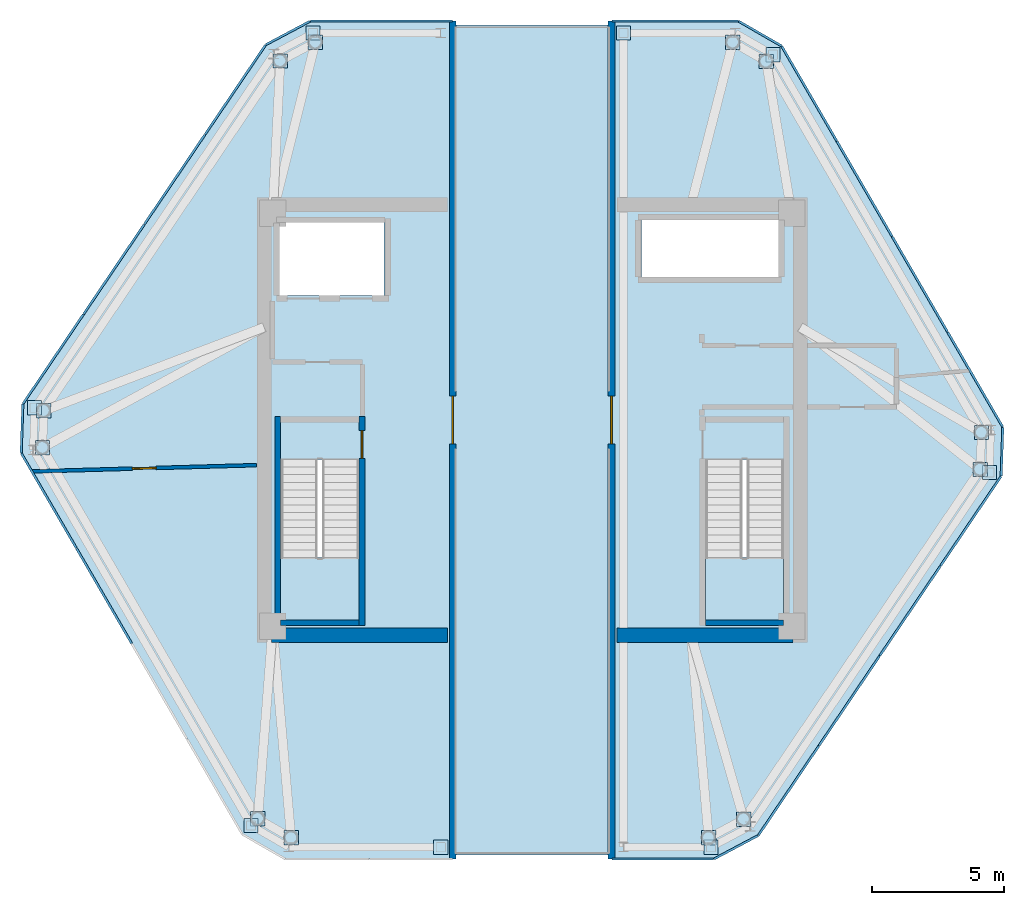
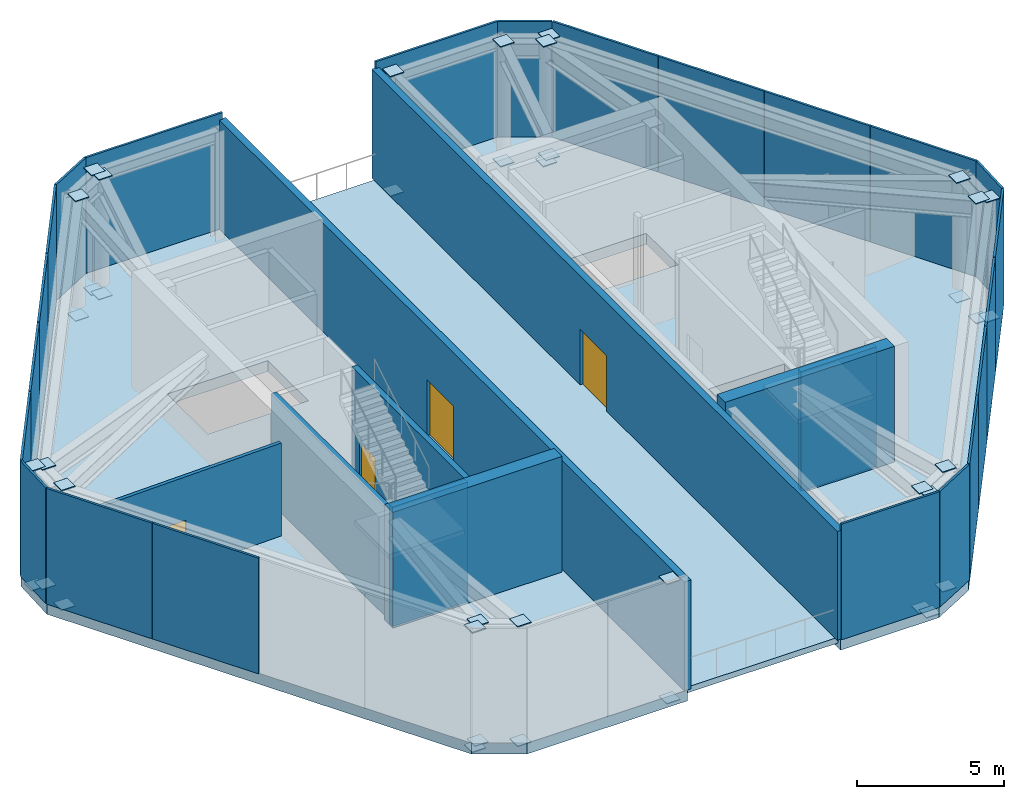
# One storey, part 6 of 8: 62 plates, 9 walls, 5 slabs, 4 doors, 4 openings, 2 elements without a shape of their own.
"""IFC4 building model written with IfcOpenShell, lengths in metres."""

from ifc_helpers import new_model, si_unit, direction, frame, frame_2d, origin, origin_2d, place, context, subcontext, project, spatial, polyline, rectangle, outline, extrude, source, transform, mapped, material, layer, layer_set, type_object, type_shapes, element, fill, aggregate, save


model = new_model("IFC4")

# Units and contexts
model_context = context("Model", 3, precision=1e-05, world=origin(), true_north=direction((0.0, 1.0)))
body_context = subcontext(model_context, "Body", "Model", "MODEL_VIEW")
ifc_project = project(units=[si_unit("LENGTHUNIT", "METRE"), si_unit("AREAUNIT", "SQUARE_METRE"), si_unit("VOLUMEUNIT", "CUBIC_METRE"), si_unit("PLANEANGLEUNIT", "RADIAN"), si_unit("MASSUNIT", "GRAM", prefix="KILO")], contexts=[model_context])

# Site, building, storey
site_placement = place(None, origin())
site = spatial("IfcSite", under=ifc_project, at=site_placement, CompositionType="ELEMENT")
building_placement = place(site_placement, origin())
building = spatial("IfcBuilding", under=site, at=building_placement, Name="Durnholm Broadcast Tower", CompositionType="ELEMENT")
storey_placement = place(building_placement, frame((0.0, 0.0, 272.5)))
storey = spatial("IfcBuildingStorey", under=building, at=storey_placement, Name="L76", CompositionType="ELEMENT", Elevation=272.5)

# Slabs
ifc_material_1 = material(Name="Concrete C50/60", Category="concrete")
ifc_layer_1 = layer(ifc_material_1, 0.449951171875)
ifc_layer_set_1 = layer_set([ifc_layer_1], Name="Concrete C50/60")
slab_type_1 = type_object("IfcSlabType", Name="SLAB-FLR-450", PredefinedType="FLOOR", material=ifc_layer_set_1)
slab_1_placement = place(storey_placement, frame((0.0, 0.0, -0.449951171875)))
element("IfcSlab", 1, at=slab_1_placement, inside=storey, type_object=slab_type_1, Name="L76 west split-crown plant floor slab", PredefinedType="FLOOR", context=body_context, shape_type="SweptSolid", body=[
    extrude(outline(polyline([(-10.946044921875, -15.648193359375), (-9.317626953125, -16.5859375), (-3.0, -16.5859375), (-3.0, 15.06201171875), (-8.386962890625, 15.06201171875), (-10.06591796875, 14.17041015625), (-19.238037109375, 0.603271484375), (-19.3017578125, -1.25048828125), (-10.946044921875, -15.648193359375)]), holes=[polyline([(-6.5400390625, -1.5), (-9.5, -1.5), (-9.5, -7.550048828125), (-6.5400390625, -7.550048828125), (-6.5400390625, -1.5)]), polyline([(-9.550048828125, 7.449951171875), (-9.550048828125, 4.699951171875), (-5.60009765625, 4.699951171875), (-5.60009765625, 7.449951171875), (-9.550048828125, 7.449951171875)])]), origin(), (0.0, 0.0, 1.0), 0.449951171875),
])
slab_2_placement = place(storey_placement, frame((0.0, 0.0, -0.449951171875)))
element("IfcSlab", 2, at=slab_2_placement, inside=storey, type_object=slab_type_1, Name="L76 east split-crown plant floor slab", PredefinedType="FLOOR", context=body_context, shape_type="SweptSolid", body=[
    extrude(outline(polyline([(3.0, 15.06201171875), (3.0, -16.5859375), (6.863037109375, -16.5859375), (8.5419921875, -15.6943359375), (17.714111328125, -2.127197265625), (17.777587890625, -0.273681640625), (9.422119140625, 14.124267578125), (7.793701171875, 15.06201171875), (3.0, 15.06201171875)]), holes=[polyline([(9.5, -1.5), (6.5400390625, -1.5), (6.5400390625, -7.550048828125), (9.5, -7.550048828125), (9.5, -1.5)]), polyline([(4.1201171875, 7.550048828125), (4.1201171875, 5.39990234375), (9.31005859375, 5.39990234375), (9.31005859375, 7.550048828125), (4.1201171875, 7.550048828125)])]), origin(), (0.0, 0.0, 1.0), 0.449951171875),
])

# Stair, slab
stair_type = type_object("IfcStairType", Name="STAIR-DL-28R1714", PredefinedType="HALF_TURN_STAIR", material=ifc_material_1)
stair_1_placement = place(storey_placement, origin())
stair_1 = element("IfcStair", 3, at=stair_1_placement, inside=storey, type_object=stair_type, Name="L76 ST-1", PredefinedType="HALF_TURN_STAIR")
ifc_layer_2 = layer(ifc_material_1, 0.199951171875)
ifc_layer_set_2 = layer_set([ifc_layer_2], Name="Concrete C50/60")
slab_type_2 = type_object("IfcSlabType", Name="SLAB-LND-200", PredefinedType="LANDING", material=ifc_layer_set_2)
slab_3_placement = place(storey_placement, frame((0.0, 0.0, 2.199951171875)))
slab_3 = element("IfcSlab", 4, at=slab_3_placement, type_object=slab_type_2, Name="ST-1 landing 1", PredefinedType="LANDING", context=body_context, shape_type="SweptSolid", body=[
    extrude(outline(polyline([(-9.5, -5.205078125), (-9.5, -7.550048828125), (-6.5400390625, -7.550048828125), (-6.5400390625, -5.205078125), (-9.5, -5.205078125)])), origin(), (0.0, 0.0, 1.0), 0.199951171875),
])
aggregate(stair_1, [slab_3])

stair_2_placement = place(storey_placement, origin())
stair_2 = element("IfcStair", 5, at=stair_2_placement, inside=storey, type_object=stair_type, Name="L76 ST-2", PredefinedType="HALF_TURN_STAIR")
slab_4_placement = place(storey_placement, frame((0.0, 0.0, 2.199951171875)))
slab_4 = element("IfcSlab", 6, at=slab_4_placement, type_object=slab_type_2, Name="ST-2 landing 1", PredefinedType="LANDING", context=body_context, shape_type="SweptSolid", body=[
    extrude(outline(polyline([(6.5400390625, -5.205078125), (6.5400390625, -7.550048828125), (9.5, -7.550048828125), (9.5, -5.205078125), (6.5400390625, -5.205078125)])), origin(), (0.0, 0.0, 1.0), 0.199951171875),
])
aggregate(stair_2, [slab_4])

# Slab
ifc_layer_3 = layer(ifc_material_1, 0.239990234375)
ifc_layer_set_3 = layer_set([ifc_layer_3], Name="Concrete C50/60")
slab_type_3 = type_object("IfcSlabType", Name="SLAB-TERR-240", PredefinedType="FLOOR", material=ifc_layer_set_3)
slab_5_placement = place(storey_placement, frame((0.0, 0.0, -0.239990234375)))
element("IfcSlab", 7, at=slab_5_placement, inside=storey, type_object=slab_type_3, Name="L76 central sky-cleft observation terrace slab", PredefinedType="FLOOR", context=body_context, shape_type="SweptSolid", body=[
    extrude(outline(polyline([(-2.97998046875, -16.43603515625), (2.97998046875, -16.43603515625), (2.97998046875, 14.912109375), (-2.97998046875, 14.912109375), (-2.97998046875, -16.43603515625)])), origin(), (0.0, 0.0, 1.0), 0.239990234375),
])

# Plates
ifc_material_2 = material(Name="Steel ASTM A572 Grade 50", Category="steel")
ifc_layer_4 = layer(ifc_material_2, 0.0400390625)
ifc_layer_set_4 = layer_set([ifc_layer_4], Name="Steel ASTM A572 Grade 50")
plate_type_1 = type_object("IfcPlateType", Name="PLT-KN-CAP", PredefinedType="USERDEFINED", material=ifc_layer_set_4)
shared_shape_1 = source(origin(), body_context, "Body", "SweptSolid", [
    extrude(rectangle(XDim=0.5400390625, YDim=0.5400390625, at=origin_2d()), origin(), (0.0, 0.0, 1.0), 0.0400390625),
])
type_shapes(plate_type_1, [shared_shape_1])
for number, where, z_axis, x_axis, name in (
    (8, (-10.361328125, -15.061767578125, -0.469970703125), (0.0, 0.0, 1.0), (1.0, 0.0, 0.0), "L76 hollow section end cap plate COL-TUBE-L76-01 1"),
    (9, (-10.361328125, -15.061767578125, 4.5), (0.0, 0.0, 1.0), (1.0, 0.0, 0.0), "L76 hollow section end cap plate COL-TUBE-L76-01 2"),
    (10, (-18.494384765625, -1.0478515625, -0.469970703125), (0.0, 0.0, 1.0), (1.0, 0.0, 0.0), "L76 hollow section end cap plate COL-TUBE-L76-02 1"),
    (11, (-18.494384765625, -1.0478515625, 4.5), (0.0, 0.0, 1.0), (1.0, 0.0, 0.0), "L76 hollow section end cap plate COL-TUBE-L76-02 2"),
    (12, (-18.4462890625, 0.345947265625, -0.469970703125), (0.0, 0.0, 1.0), (1.0, 0.0, 0.0), "L76 hollow section end cap plate COL-TUBE-L76-03 1"),
    (13, (-18.4462890625, 0.345947265625, 4.5), (0.0, 0.0, 1.0), (1.0, 0.0, 0.0), "L76 hollow section end cap plate COL-TUBE-L76-03 2"),
    (14, (-9.514892578125, 13.557373046875, -0.469970703125), (0.0, 0.0, 1.0), (1.0, 0.0, 0.0), "L76 hollow section end cap plate COL-TUBE-L76-04 1"),
    (15, (-9.514892578125, 13.557373046875, 4.5), (0.0, 0.0, 1.0), (1.0, 0.0, 0.0), "L76 hollow section end cap plate COL-TUBE-L76-04 2"),
    (16, (-8.187744140625, 14.261962890625, -0.469970703125), (0.0, 0.0, 1.0), (1.0, 0.0, 0.0), "L76 hollow section end cap plate COL-TUBE-L76-05 1"),
    (17, (-8.187744140625, 14.261962890625, 4.5), (0.0, 0.0, 1.0), (1.0, 0.0, 0.0), "L76 hollow section end cap plate COL-TUBE-L76-05 2"),
    (18, (7.57958984375, 14.261962890625, -0.469970703125), (0.0, 0.0, 1.0), (1.0, 0.0, 0.0), "L76 hollow section end cap plate COL-TUBE-L76-06 1"),
    (19, (7.57958984375, 14.261962890625, 4.5), (0.0, 0.0, 1.0), (1.0, 0.0, 0.0), "L76 hollow section end cap plate COL-TUBE-L76-06 2"),
    (20, (8.83740234375, 13.53759765625, -0.469970703125), (0.0, 0.0, 1.0), (1.0, 0.0, 0.0), "L76 hollow section end cap plate COL-TUBE-L76-07 1"),
    (21, (8.83740234375, 13.53759765625, 4.5), (0.0, 0.0, 1.0), (1.0, 0.0, 0.0), "L76 hollow section end cap plate COL-TUBE-L76-07 2"),
    (22, (16.97021484375, -0.47607421875, -0.469970703125), (0.0, 0.0, 1.0), (1.0, 0.0, 0.0), "L76 hollow section end cap plate COL-TUBE-L76-08 1"),
    (23, (16.97021484375, -0.47607421875, 4.5), (0.0, 0.0, 1.0), (1.0, 0.0, 0.0), "L76 hollow section end cap plate COL-TUBE-L76-08 2"),
    (24, (16.92236328125, -1.869873046875, -0.469970703125), (0.0, 0.0, 1.0), (1.0, 0.0, 0.0), "L76 hollow section end cap plate COL-TUBE-L76-09 1"),
    (25, (16.92236328125, -1.869873046875, 4.5), (0.0, 0.0, 1.0), (1.0, 0.0, 0.0), "L76 hollow section end cap plate COL-TUBE-L76-09 2"),
    (26, (7.990966796875, -15.081298828125, -0.469970703125), (0.0, 0.0, 1.0), (1.0, 0.0, 0.0), "L76 hollow section end cap plate COL-TUBE-L76-10 1"),
    (27, (7.990966796875, -15.081298828125, 4.5), (0.0, 0.0, 1.0), (1.0, 0.0, 0.0), "L76 hollow section end cap plate COL-TUBE-L76-10 2"),
    (28, (6.663818359375, -15.785888671875, -0.469970703125), (0.0, 0.0, 1.0), (1.0, 0.0, 0.0), "L76 hollow section end cap plate COL-TUBE-L76-11 1"),
    (29, (6.663818359375, -15.785888671875, 4.5), (0.0, 0.0, 1.0), (1.0, 0.0, 0.0), "L76 hollow section end cap plate COL-TUBE-L76-11 2"),
    (30, (-9.103759765625, -15.785888671875, -0.469970703125), (0.0, 0.0, 1.0), (1.0, 0.0, 0.0), "L76 hollow section end cap plate COL-TUBE-L76-12 1"),
    (31, (-9.103759765625, -15.785888671875, 4.5), (0.0, 0.0, 1.0), (1.0, 0.0, 0.0), "L76 hollow section end cap plate COL-TUBE-L76-12 2"),
    (32, (-10.6171875, -15.318359375, -0.469970703125), (0.0, 0.0, 1.0), (1.0, 0.0, 0.0), "L76 hollow section end cap plate CF-POST-L76-W-1 1"),
    (33, (-10.6171875, -15.318359375, 4.5), (0.0, 0.0, 1.0), (1.0, 0.0, 0.0), "L76 hollow section end cap plate CF-POST-L76-W-1 2"),
    (34, (-3.449951171875, -16.135986328125, -0.469970703125), (0.0, 0.0, 1.0), (1.0, 0.0, 0.0), "L76 hollow section end cap plate CF-POST-L76-W-3 1"),
    (35, (-3.449951171875, -16.135986328125, 4.5), (0.0, 0.0, 1.0), (1.0, 0.0, 0.0), "L76 hollow section end cap plate CF-POST-L76-W-3 2"),
    (36, (-8.27490234375, 14.612060546875, -0.469970703125), (0.0, 0.0, 1.0), (1.0, 0.0, 0.0), "L76 hollow section end cap plate CF-POST-L76-W-5 1"),
    (37, (-8.27490234375, 14.612060546875, 4.5), (0.0, 0.0, 1.0), (1.0, 0.0, 0.0), "L76 hollow section end cap plate CF-POST-L76-W-5 2"),
    (38, (-18.792724609375, 0.45849609375, -0.469970703125), (0.0, 0.0, 1.0), (1.0, 0.0, 0.0), "L76 hollow section end cap plate CF-POST-L76-W-7 1"),
    (39, (-18.792724609375, 0.45849609375, 4.5), (0.0, 0.0, 1.0), (1.0, 0.0, 0.0), "L76 hollow section end cap plate CF-POST-L76-W-7 2"),
    (40, (3.449951171875, 14.612060546875, -0.469970703125), (0.0, 0.0, 1.0), (1.0, 0.0, 0.0), "L76 hollow section end cap plate CF-POST-L76-E-1 1"),
    (41, (3.449951171875, 14.612060546875, 4.5), (0.0, 0.0, 1.0), (1.0, 0.0, 0.0), "L76 hollow section end cap plate CF-POST-L76-E-1 2"),
    (42, (6.7509765625, -16.135986328125, -0.469970703125), (0.0, 0.0, 1.0), (1.0, 0.0, 0.0), "L76 hollow section end cap plate CF-POST-L76-E-3 1"),
    (43, (6.7509765625, -16.135986328125, 4.5), (0.0, 0.0, 1.0), (1.0, 0.0, 0.0), "L76 hollow section end cap plate CF-POST-L76-E-3 2"),
    (44, (17.268798828125, -1.982421875, -0.469970703125), (0.0, 0.0, 1.0), (1.0, 0.0, 0.0), "L76 hollow section end cap plate CF-POST-L76-E-5 1"),
    (45, (17.268798828125, -1.982421875, 4.5), (0.0, 0.0, 1.0), (1.0, 0.0, 0.0), "L76 hollow section end cap plate CF-POST-L76-E-5 2"),
    (46, (9.09326171875, 13.794189453125, -0.469970703125), (0.0, 0.0, 1.0), (1.0, 0.0, 0.0), "L76 hollow section end cap plate CF-POST-L76-E-7 1"),
    (47, (9.09326171875, 13.794189453125, 4.5), (0.0, 0.0, 1.0), (1.0, 0.0, 0.0), "L76 hollow section end cap plate CF-POST-L76-E-7 2"),
):
    element("IfcPlate", number, at=place(storey_placement, frame(where, z_axis=z_axis, x_axis=x_axis)), inside=storey, type_object=plate_type_1, Name=name, ObjectType="CAP_PLATE", PredefinedType="USERDEFINED", context=body_context, shape_type="MappedRepresentation", body=[
        mapped(shared_shape_1, transform((0.0, 0.0, 0.0), x_axis=(1.0, 0.0, 0.0), y_axis=(0.0, 1.0, 0.0), z_axis=(0.0, 0.0, 1.0), scale=1.0)),
    ])
ifc_material_3 = material(Name="Anodised Architectural Aluminium Louvre Screen", Category="aluminium")
ifc_layer_5 = layer(ifc_material_3, 0.0849609375)
ifc_layer_set_5 = layer_set([ifc_layer_5], Name="Anodised Architectural Aluminium Louvre Screen")
plate_type_2 = type_object("IfcPlateType", Name="PLT-CROWN-SCR", PredefinedType="USERDEFINED", material=ifc_layer_set_5)
shared_shape_2 = source(origin(), body_context, "Body", "SweptSolid", [
    extrude(rectangle(XDim=1.834716796875, YDim=0.0849609375, at=origin_2d()), origin(), (0.0, 0.0, 1.0), 4.800048828125),
])
for number, where, z_axis, x_axis, name in (
    (48, (-19.27001953125, -0.323486328125, 0.0), (0.0, 0.0, 1.0), (0.034376212129, 0.999408963358, 0.0), "L76 mechanical louvre screen panel SCR-L76-W-1.1"),
    (49, (17.745849609375, -1.200439453125, 0.0), (0.0, 0.0, 1.0), (-0.034376212129, -0.999408963358, 0.0), "L76 mechanical louvre screen panel SCR-L76-E-3.1"),
):
    element("IfcPlate", number, at=place(storey_placement, frame(where, z_axis=z_axis, x_axis=x_axis)), inside=storey, type_object=plate_type_2, Name=name, ObjectType="SCREEN", PredefinedType="USERDEFINED", context=body_context, shape_type="MappedRepresentation", body=[
        mapped(shared_shape_2, transform((0.0, 0.0, 0.0), x_axis=(1.0, 0.0, 0.0), y_axis=(0.0, 1.0, 0.0), z_axis=(0.0, 0.0, 1.0), scale=1.0)),
    ])
shared_shape_3 = source(origin(), body_context, "Body", "SweptSolid", [
    extrude(rectangle(XDim=4.07421875, YDim=0.0849609375, at=origin_2d()), origin(), (0.0, 0.0, 1.0), 4.800048828125),
])
for number, where, z_axis, x_axis, name in (
    (50, (-18.091552734375, 2.29931640625, 0.0), (0.0, 0.0, 1.0), (0.560060762816, 0.828451532652, 0.0), "L76 mechanical louvre screen panel SCR-L76-W-2.1"),
    (51, (-15.798583984375, 5.69091796875, 0.0), (0.0, 0.0, 1.0), (0.560060762816, 0.828451532652, 0.0), "L76 mechanical louvre screen panel SCR-L76-W-2.2"),
    (52, (-13.505615234375, 9.082763671875, 0.0), (0.0, 0.0, 1.0), (0.560060762816, 0.828451532652, 0.0), "L76 mechanical louvre screen panel SCR-L76-W-2.3"),
    (53, (-11.21240234375, 12.474609375, 0.0), (0.0, 0.0, 1.0), (0.560060762816, 0.828451532652, 0.0), "L76 mechanical louvre screen panel SCR-L76-W-2.4"),
    (54, (16.567626953125, -3.8232421875, 0.0), (0.0, 0.0, 1.0), (-0.560060762816, -0.828451532652, 0.0), "L76 mechanical louvre screen panel SCR-L76-E-4.1"),
    (55, (14.274658203125, -7.215087890625, 0.0), (0.0, 0.0, 1.0), (-0.560060762816, -0.828451532652, 0.0), "L76 mechanical louvre screen panel SCR-L76-E-4.2"),
    (56, (11.9814453125, -10.606689453125, 0.0), (0.0, 0.0, 1.0), (-0.560060762816, -0.828451532652, 0.0), "L76 mechanical louvre screen panel SCR-L76-E-4.3"),
    (57, (9.6884765625, -13.99853515625, 0.0), (0.0, 0.0, 1.0), (-0.560060762816, -0.828451532652, 0.0), "L76 mechanical louvre screen panel SCR-L76-E-4.4"),
):
    element("IfcPlate", number, at=place(storey_placement, frame(where, z_axis=z_axis, x_axis=x_axis)), inside=storey, type_object=plate_type_2, Name=name, ObjectType="SCREEN", PredefinedType="USERDEFINED", context=body_context, shape_type="MappedRepresentation", body=[
        mapped(shared_shape_3, transform((0.0, 0.0, 0.0), x_axis=(1.0, 0.0, 0.0), y_axis=(0.0, 1.0, 0.0), z_axis=(0.0, 0.0, 1.0), scale=1.0)),
    ])
shared_shape_4 = source(origin(), body_context, "Body", "SweptSolid", [
    extrude(rectangle(XDim=1.881103515625, YDim=0.0849609375, at=origin_2d()), origin(), (0.0, 0.0, 1.0), 4.800048828125),
])
for number, where, z_axis, x_axis, name in (
    (58, (-9.2265625, 14.6162109375, 0.0), (0.0, 0.0, 1.0), (0.883193286551, 0.469009188174, 0.0), "L76 mechanical louvre screen panel SCR-L76-W-3.1"),
    (59, (7.702392578125, -16.14013671875, 0.0), (0.0, 0.0, 1.0), (-0.883193286551, -0.469009188174, 0.0), "L76 mechanical louvre screen panel SCR-L76-E-5.1"),
):
    element("IfcPlate", number, at=place(storey_placement, frame(where, z_axis=z_axis, x_axis=x_axis)), inside=storey, type_object=plate_type_2, Name=name, ObjectType="SCREEN", PredefinedType="USERDEFINED", context=body_context, shape_type="MappedRepresentation", body=[
        mapped(shared_shape_4, transform((0.0, 0.0, 0.0), x_axis=(1.0, 0.0, 0.0), y_axis=(0.0, 1.0, 0.0), z_axis=(0.0, 0.0, 1.0), scale=1.0)),
    ])
shared_shape_5 = source(origin(), body_context, "Body", "SweptSolid", [
    extrude(rectangle(XDim=5.366943359375, YDim=0.0849609375, at=origin_2d()), origin(), (0.0, 0.0, 1.0), 4.800048828125),
])
plate_1_placement = place(storey_placement, frame((-5.693603515625, 15.06201171875, 0.0), z_axis=(0.0, 0.0, 1.0), x_axis=(1.0, 0.0, 0.0)))
element("IfcPlate", 60, at=plate_1_placement, inside=storey, type_object=plate_type_2, Name="L76 mechanical louvre screen panel SCR-L76-W-4.1", ObjectType="SCREEN", PredefinedType="USERDEFINED", context=body_context, shape_type="MappedRepresentation", body=[
    mapped(shared_shape_5, transform((0.0, 0.0, 0.0), x_axis=(1.0, 0.0, 0.0), y_axis=(0.0, 1.0, 0.0), z_axis=(0.0, 0.0, 1.0), scale=1.0)),
])
shared_shape_6 = source(origin(), body_context, "Body", "SweptSolid", [
    extrude(rectangle(XDim=1.859130859375, YDim=0.0849609375, at=origin_2d()), origin(), (0.0, 0.0, 1.0), 4.800048828125),
])
plate_2_placement = place(storey_placement, frame((8.60791015625, 14.593017578125, 0.0), z_axis=(0.0, 0.0, 1.0), x_axis=(0.866548527613, -0.499092826328, 0.0)))
element("IfcPlate", 61, at=plate_2_placement, inside=storey, type_object=plate_type_2, Name="L76 mechanical louvre screen panel SCR-L76-E-1.1", ObjectType="SCREEN", PredefinedType="USERDEFINED", context=body_context, shape_type="MappedRepresentation", body=[
    mapped(shared_shape_6, transform((0.0, 0.0, 0.0), x_axis=(1.0, 0.0, 0.0), y_axis=(0.0, 1.0, 0.0), z_axis=(0.0, 0.0, 1.0), scale=1.0)),
])
shared_shape_7 = source(origin(), body_context, "Body", "SweptSolid", [
    extrude(rectangle(XDim=4.1416015625, YDim=0.0849609375, at=origin_2d()), origin(), (0.0, 0.0, 1.0), 4.800048828125),
])
for number, where, z_axis, x_axis, name in (
    (62, (-16.168212890625, -6.649658203125, 0.0), (0.0, 0.0, 1.0), (-0.501963660617, 0.864888711581, 0.0), "L76 mechanical louvre screen panel SCR-L76-W-8.3"),
    (63, (-18.257080078125, -3.050048828125, 0.0), (0.0, 0.0, 1.0), (-0.501963660617, 0.864888711581, 0.0), "L76 mechanical louvre screen panel SCR-L76-W-8.4"),
    (64, (10.466552734375, 12.324462890625, 0.0), (0.0, 0.0, 1.0), (0.501963660617, -0.864888711581, 0.0), "L76 mechanical louvre screen panel SCR-L76-E-2.1"),
    (65, (12.555419921875, 8.72509765625, 0.0), (0.0, 0.0, 1.0), (0.501963660617, -0.864888711581, 0.0), "L76 mechanical louvre screen panel SCR-L76-E-2.2"),
    (66, (14.644287109375, 5.12548828125, 0.0), (0.0, 0.0, 1.0), (0.501963660617, -0.864888711581, 0.0), "L76 mechanical louvre screen panel SCR-L76-E-2.3"),
    (67, (16.733154296875, 1.526123046875, 0.0), (0.0, 0.0, 1.0), (0.501963660617, -0.864888711581, 0.0), "L76 mechanical louvre screen panel SCR-L76-E-2.4"),
):
    element("IfcPlate", number, at=place(storey_placement, frame(where, z_axis=z_axis, x_axis=x_axis)), inside=storey, type_object=plate_type_2, Name=name, ObjectType="SCREEN", PredefinedType="USERDEFINED", context=body_context, shape_type="MappedRepresentation", body=[
        mapped(shared_shape_7, transform((0.0, 0.0, 0.0), x_axis=(1.0, 0.0, 0.0), y_axis=(0.0, 1.0, 0.0), z_axis=(0.0, 0.0, 1.0), scale=1.0)),
    ])
shared_shape_8 = source(origin(), body_context, "Body", "SweptSolid", [
    extrude(rectangle(XDim=3.843017578125, YDim=0.0849609375, at=origin_2d()), origin(), (0.0, 0.0, 1.0), 4.800048828125),
])
plate_3_placement = place(storey_placement, frame((4.931396484375, -16.5859375, 0.0), z_axis=(0.0, 0.0, 1.0), x_axis=(-1.0, 0.0, 0.0)))
element("IfcPlate", 68, at=plate_3_placement, inside=storey, type_object=plate_type_2, Name="L76 mechanical louvre screen panel SCR-L76-E-6.1", ObjectType="SCREEN", PredefinedType="USERDEFINED", context=body_context, shape_type="MappedRepresentation", body=[
    mapped(shared_shape_8, transform((0.0, 0.0, 0.0), x_axis=(1.0, 0.0, 0.0), y_axis=(0.0, 1.0, 0.0), z_axis=(0.0, 0.0, 1.0), scale=1.0)),
])
shared_shape_9 = source(origin(), body_context, "Body", "SweptSolid", [
    extrude(rectangle(XDim=4.773681640625, YDim=0.0849609375, at=origin_2d()), origin(), (0.0, 0.0, 1.0), 4.800048828125),
])
type_shapes(plate_type_2, [shared_shape_2, shared_shape_3, shared_shape_4, shared_shape_5, shared_shape_6, shared_shape_7, shared_shape_8, shared_shape_9])
plate_4_placement = place(storey_placement, frame((5.396728515625, 15.06201171875, 0.0), z_axis=(0.0, 0.0, 1.0), x_axis=(1.0, 0.0, 0.0)))
element("IfcPlate", 69, at=plate_4_placement, inside=storey, type_object=plate_type_2, Name="L76 mechanical louvre screen panel SCR-L76-E-8.1", ObjectType="SCREEN", PredefinedType="USERDEFINED", context=body_context, shape_type="MappedRepresentation", body=[
    mapped(shared_shape_9, transform((0.0, 0.0, 0.0), x_axis=(1.0, 0.0, 0.0), y_axis=(0.0, 1.0, 0.0), z_axis=(0.0, 0.0, 1.0), scale=1.0)),
])

# Walls
ifc_material_4 = material(Name="Concrete C70/85", Category="concrete")
ifc_layer_6 = layer(ifc_material_4, 0.550048828125)
ifc_layer_set_6 = layer_set([ifc_layer_6], Name="Concrete C70/85")
wall_type_1 = type_object("IfcWallType", Name="WALL-CW-550", PredefinedType="SHEAR", material=ifc_layer_set_6)
for number, where, z_axis, x_axis, name in (
    (70, (-9.85009765625, -8.125, 0.0), (0.0, 0.0, 1.0), (1.0, 0.0, 0.0), "L76 split-crown core shear wall WCW-SW"),
    (71, (3.199951171875, -8.125, 0.0), (0.0, 0.0, 1.0), (1.0, 0.0, 0.0), "L76 split-crown core shear wall WCW-SE"),
):
    element("IfcWall", number, at=place(storey_placement, frame(where, z_axis=z_axis, x_axis=x_axis)), inside=storey, type_object=wall_type_1, Name=name, PredefinedType="SHEAR", context=body_context, shape_type="SweptSolid", body=[
        extrude(rectangle(XDim=6.650146484375, YDim=0.550048828125, at=frame_2d((3.3251953125, 0.0))), origin(), (0.0, 0.0, 1.0), 4.800048828125),
    ])

# Wall, opening, door
ifc_material_5 = material(Name="Precast Concrete C45/55", Category="concrete")
ifc_layer_7 = layer(ifc_material_5, 0.260009765625)
ifc_layer_set_7 = layer_set([ifc_layer_7], Name="Precast Concrete C45/55")
wall_type_2 = type_object("IfcWallType", Name="WALL-EXT-260", PredefinedType="SOLIDWALL", material=ifc_layer_set_7)
wall_1_placement = place(storey_placement, frame((-3.0, 15.06201171875, 0.0), z_axis=(0.0, 0.0, 1.0), x_axis=(0.0, -1.0, 0.0)))
wall_1 = element("IfcWall", 72, at=wall_1_placement, inside=storey, type_object=wall_type_2, Name="L76 W cleft terrace access wall", PredefinedType="SOLIDWALL", context=body_context, shape_type="SweptSolid", body=[
    extrude(rectangle(XDim=31.64794921875, YDim=0.260009765625, at=frame_2d((15.823974609375, 0.0))), origin(), (0.0, 0.0, 1.0), 4.52001953125),
])
opening_1_placement = place(wall_1_placement, frame((14.162109375, 0.0, 0.0)))
opening_1 = element("IfcOpeningElement", 73, at=opening_1_placement, cuts=wall_1, Name="Opening DT-1", PredefinedType="OPENING", context=body_context, shape_type="SweptSolid", body=[
    extrude(rectangle(XDim=1.800048828125, YDim=2.300048828125, at=frame_2d((0.89990234375, 1.14990234375))), frame((0.0, 0.14013671875, 0.0), z_axis=(0.0, -1.0, 0.0), x_axis=(1.0, 0.0, 0.0)), (0.0, 0.0, 1.0), 0.280029296875),
])
ifc_material_6 = material(Name="Anodised Aluminium and Laminated Safety Glass", Category="aluminium")
ifc_layer_8 = layer(ifc_material_6, 0.050048828125)
ifc_layer_set_8 = layer_set([ifc_layer_8], Name="Anodised Aluminium and Laminated Safety Glass")
door_type_1 = type_object("IfcDoorType", Name="DOOR-EXT-TERR", OperationType="DOUBLE_DOOR_SINGLE_SWING", PredefinedType="DOOR", material=ifc_layer_set_8)
shared_shape_10 = source(origin(), body_context, "Body", "SweptSolid", [
    extrude(rectangle(XDim=1.800048828125, YDim=2.300048828125, at=frame_2d((0.89990234375, 1.14990234375))), frame((0.0, 0.02490234375, 0.0), z_axis=(0.0, -1.0, 0.0), x_axis=(1.0, 0.0, 0.0)), (0.0, 0.0, 1.0), 0.050048828125),
])
type_shapes(door_type_1, [shared_shape_10])
door_1_placement = place(opening_1_placement, origin())
door_1 = element("IfcDoor", 74, at=door_1_placement, inside=storey, type_object=door_type_1, Name="L76 W sky-cleft observation terrace door", OperationType="DOUBLE_DOOR_SINGLE_SWING", OverallHeight=2.300048828125, OverallWidth=1.800048828125, PredefinedType="DOOR", context=body_context, shape_type="MappedRepresentation", body=[
    mapped(shared_shape_10, transform((0.0, 0.0, 0.0), x_axis=(1.0, 0.0, 0.0), y_axis=(0.0, 1.0, 0.0), z_axis=(0.0, 0.0, 1.0), scale=1.0)),
])
fill(opening_1, door_1)

wall_2_placement = place(storey_placement, frame((3.0, -16.5859375, 0.0), z_axis=(0.0, 0.0, 1.0), x_axis=(0.0, 1.0, 0.0)))
wall_2 = element("IfcWall", 75, at=wall_2_placement, inside=storey, type_object=wall_type_2, Name="L76 E cleft terrace access wall", PredefinedType="SOLIDWALL", context=body_context, shape_type="SweptSolid", body=[
    extrude(rectangle(XDim=31.64794921875, YDim=0.260009765625, at=frame_2d((15.823974609375, 0.0))), origin(), (0.0, 0.0, 1.0), 4.52001953125),
])
opening_2_placement = place(wall_2_placement, frame((15.68603515625, 0.0, 0.0)))
opening_2 = element("IfcOpeningElement", 76, at=opening_2_placement, cuts=wall_2, Name="Opening DT-1", PredefinedType="OPENING", context=body_context, shape_type="SweptSolid", body=[
    extrude(rectangle(XDim=1.800048828125, YDim=2.300048828125, at=frame_2d((0.89990234375, 1.14990234375))), frame((0.0, 0.14013671875, 0.0), z_axis=(0.0, -1.0, 0.0), x_axis=(1.0, 0.0, 0.0)), (0.0, 0.0, 1.0), 0.280029296875),
])
door_2_placement = place(opening_2_placement, origin())
door_2 = element("IfcDoor", 77, at=door_2_placement, inside=storey, type_object=door_type_1, Name="L76 E sky-cleft observation terrace door", OperationType="DOUBLE_DOOR_SINGLE_SWING", OverallHeight=2.300048828125, OverallWidth=1.800048828125, PredefinedType="DOOR", context=body_context, shape_type="MappedRepresentation", body=[
    mapped(shared_shape_10, transform((0.0, 0.0, 0.0), x_axis=(1.0, 0.0, 0.0), y_axis=(0.0, 1.0, 0.0), z_axis=(0.0, 0.0, 1.0), scale=1.0)),
])
fill(opening_2, door_2)

ifc_material_7 = material(Name="Gypsum Metal Stud Partition", Category="concrete")
ifc_layer_9 = layer(ifc_material_7, 0.135009765625)
ifc_layer_set_9 = layer_set([ifc_layer_9], Name="Gypsum Metal Stud Partition")
wall_type_3 = type_object("IfcWallType", Name="WALL-PART-135", PredefinedType="PARTITIONING", material=ifc_layer_set_9)
wall_3_placement = place(storey_placement, frame((-10.405029296875, -1.7080078125, 0.0), z_axis=(0.0, 0.0, 1.0), x_axis=(-0.999607454952, -0.028016709362, 0.0)))
wall_3 = element("IfcWall", 78, at=wall_3_placement, inside=storey, type_object=wall_type_3, Name="L76 room dividing partition 1.2", PredefinedType="PARTITIONING", context=body_context, shape_type="SweptSolid", body=[
    extrude(rectangle(XDim=8.496337890625, YDim=0.135009765625, at=frame_2d((4.248046875, 0.0))), origin(), (0.0, 0.0, 1.0), 3.85888671875),
])
opening_3_placement = place(wall_3_placement, frame((3.798095703125, 0.0, 0.0)))
opening_3 = element("IfcOpeningElement", 79, at=opening_3_placement, cuts=wall_3, Name="Opening DW-90L", PredefinedType="OPENING", context=body_context, shape_type="SweptSolid", body=[
    extrude(rectangle(XDim=0.89990234375, YDim=2.050048828125, at=frame_2d((0.449951171875, 1.02490234375))), frame((0.0, 0.07763671875, 0.0), z_axis=(0.0, -1.0, 0.0), x_axis=(1.0, 0.0, 0.0)), (0.0, 0.0, 1.0), 0.155029296875),
])
ifc_material_8 = material(Name="Laminate Restroom Door", Category="steel")
ifc_layer_10 = layer(ifc_material_8, 0.050048828125)
ifc_layer_set_10 = layer_set([ifc_layer_10], Name="Laminate Restroom Door")
door_type_2 = type_object("IfcDoorType", Name="DOOR-WC-900L", OperationType="NOTDEFINED", PredefinedType="DOOR", material=ifc_layer_set_10)
shared_shape_11 = source(origin(), body_context, "Body", "SweptSolid", [
    extrude(rectangle(XDim=0.89990234375, YDim=2.050048828125, at=frame_2d((0.449951171875, 1.02490234375))), frame((0.0, 0.02490234375, 0.0), z_axis=(0.0, -1.0, 0.0), x_axis=(1.0, 0.0, 0.0)), (0.0, 0.0, 1.0), 0.050048828125),
])
type_shapes(door_type_2, [shared_shape_11])
door_3_placement = place(opening_3_placement, origin())
door_3 = element("IfcDoor", 80, at=door_3_placement, inside=storey, type_object=door_type_2, Name="L76 Crown Air Handling Fan Plant connecting door", OperationType="SINGLE_SWING_LEFT", OverallHeight=2.050048828125, OverallWidth=0.89990234375, PredefinedType="DOOR", context=body_context, shape_type="MappedRepresentation", body=[
    mapped(shared_shape_11, transform((0.0, 0.0, 0.0), x_axis=(1.0, 0.0, 0.0), y_axis=(0.0, 1.0, 0.0), z_axis=(0.0, 0.0, 1.0), scale=1.0)),
])
fill(opening_3, door_3)

ifc_layer_11 = layer(ifc_material_1, 0.219970703125)
ifc_layer_set_11 = layer_set([ifc_layer_11], Name="Concrete C50/60")
wall_type_4 = type_object("IfcWallType", Name="WALL-SW-220", PredefinedType="SHEAR", material=ifc_layer_set_11)
wall_4_placement = place(storey_placement, frame((-6.429931640625, -7.77001953125, -0.449951171875), z_axis=(0.0, 0.0, 1.0), x_axis=(0.0, 1.0, 0.0)))
wall_4 = element("IfcWall", 81, at=wall_4_placement, inside=storey, type_object=wall_type_4, Name="L76 stair ST-1 structural shaft wall E", PredefinedType="SHEAR", context=body_context, shape_type="SweptSolid", body=[
    extrude(rectangle(XDim=7.89013671875, YDim=0.219970703125, at=frame_2d((3.945068359375, 0.0))), origin(), (0.0, 0.0, 1.0), 4.969970703125),
])
opening_4_placement = place(wall_4_placement, frame((6.320068359375, 0.0, 0.0)))
opening_4 = element("IfcOpeningElement", 82, at=opening_4_placement, cuts=wall_4, Name="Opening DS-90L", PredefinedType="OPENING", context=body_context, shape_type="SweptSolid", body=[
    extrude(rectangle(XDim=1.050048828125, YDim=2.14990234375, at=frame_2d((0.52490234375, 1.074951171875))), frame((0.0, 0.1201171875, 0.0), z_axis=(0.0, -1.0, 0.0), x_axis=(1.0, 0.0, 0.0)), (0.0, 0.0, 1.0), 0.239990234375),
])
ifc_material_9 = material(Name="Fire-Rated Steel Door", Category="steel")
ifc_layer_12 = layer(ifc_material_9, 0.050048828125)
ifc_layer_set_12 = layer_set([ifc_layer_12], Name="Fire-Rated Steel Door")
door_type_3 = type_object("IfcDoorType", Name="DOOR-ST-FD90-L", OperationType="NOTDEFINED", PredefinedType="DOOR", material=ifc_layer_set_12)
shared_shape_12 = source(origin(), body_context, "Body", "SweptSolid", [
    extrude(rectangle(XDim=1.050048828125, YDim=2.14990234375, at=frame_2d((0.52490234375, 1.074951171875))), frame((0.0, 0.02490234375, 0.0), z_axis=(0.0, -1.0, 0.0), x_axis=(1.0, 0.0, 0.0)), (0.0, 0.0, 1.0), 0.050048828125),
])
type_shapes(door_type_3, [shared_shape_12])
door_4_placement = place(opening_4_placement, origin())
door_4 = element("IfcDoor", 83, at=door_4_placement, inside=storey, type_object=door_type_3, Name="L76 exit stair ST-1 fire door", OperationType="SINGLE_SWING_LEFT", OverallHeight=2.14990234375, OverallWidth=1.050048828125, PredefinedType="DOOR", context=body_context, shape_type="MappedRepresentation", body=[
    mapped(shared_shape_12, transform((0.0, 0.0, 0.0), x_axis=(1.0, 0.0, 0.0), y_axis=(0.0, 1.0, 0.0), z_axis=(0.0, 0.0, 1.0), scale=1.0)),
])
fill(opening_4, door_4)

# Walls
wall_5_placement = place(storey_placement, frame((-9.610107421875, 0.1201171875, -0.449951171875), z_axis=(0.0, 0.0, 1.0), x_axis=(0.0, -1.0, 0.0)))
element("IfcWall", 84, at=wall_5_placement, inside=storey, type_object=wall_type_4, Name="L76 stair ST-1 structural shaft wall W", PredefinedType="SHEAR", context=body_context, shape_type="SweptSolid", body=[
    extrude(rectangle(XDim=7.89013671875, YDim=0.219970703125, at=frame_2d((3.945068359375, 0.0))), origin(), (0.0, 0.0, 1.0), 4.969970703125),
])
for number, where, z_axis, x_axis, name in (
    (85, (-9.5, -7.659912109375, -0.449951171875), (0.0, 0.0, 1.0), (1.0, 0.0, 0.0), "L76 stair ST-1 structural shaft wall S"),
    (86, (6.5400390625, -7.659912109375, -0.449951171875), (0.0, 0.0, 1.0), (1.0, 0.0, 0.0), "L76 stair ST-2 structural shaft wall S"),
):
    element("IfcWall", number, at=place(storey_placement, frame(where, z_axis=z_axis, x_axis=x_axis)), inside=storey, type_object=wall_type_4, Name=name, PredefinedType="SHEAR", context=body_context, shape_type="SweptSolid", body=[
        extrude(rectangle(XDim=2.9599609375, YDim=0.219970703125, at=frame_2d((1.47998046875, 0.0))), origin(), (0.0, 0.0, 1.0), 4.969970703125),
    ])

save(model, "model.ifc")
